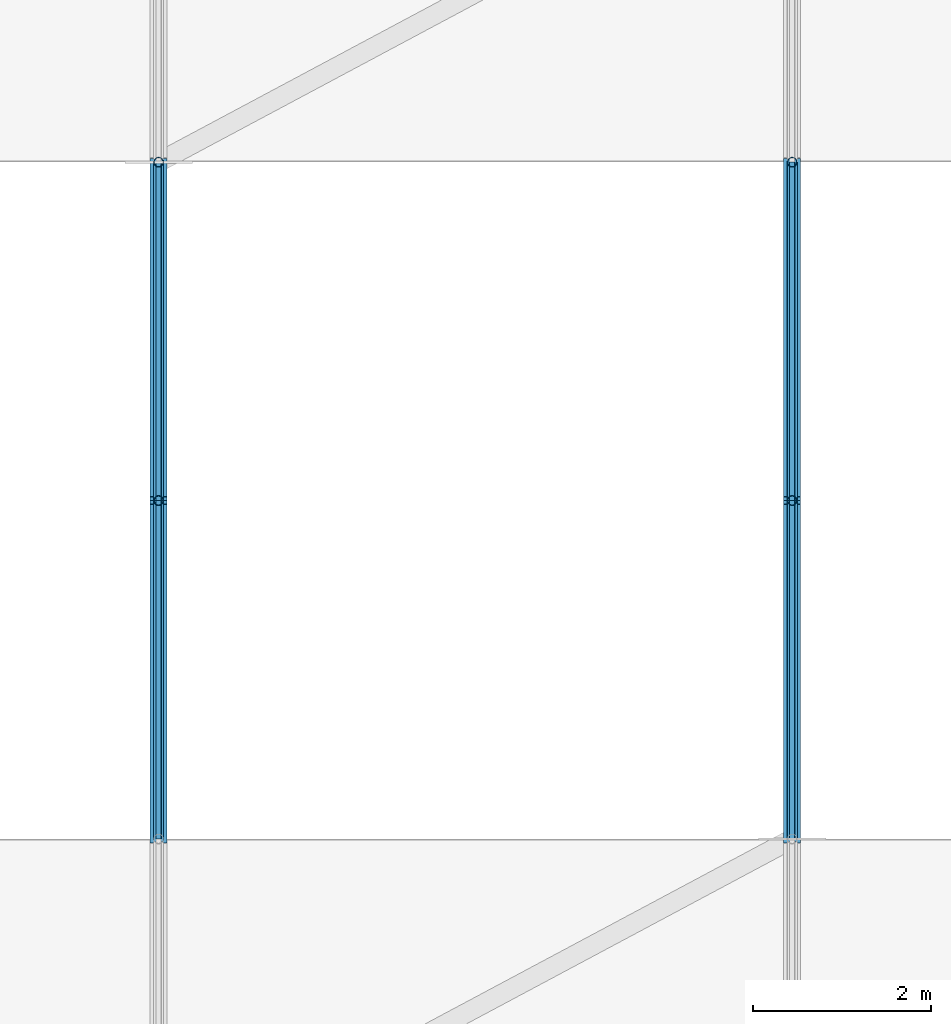
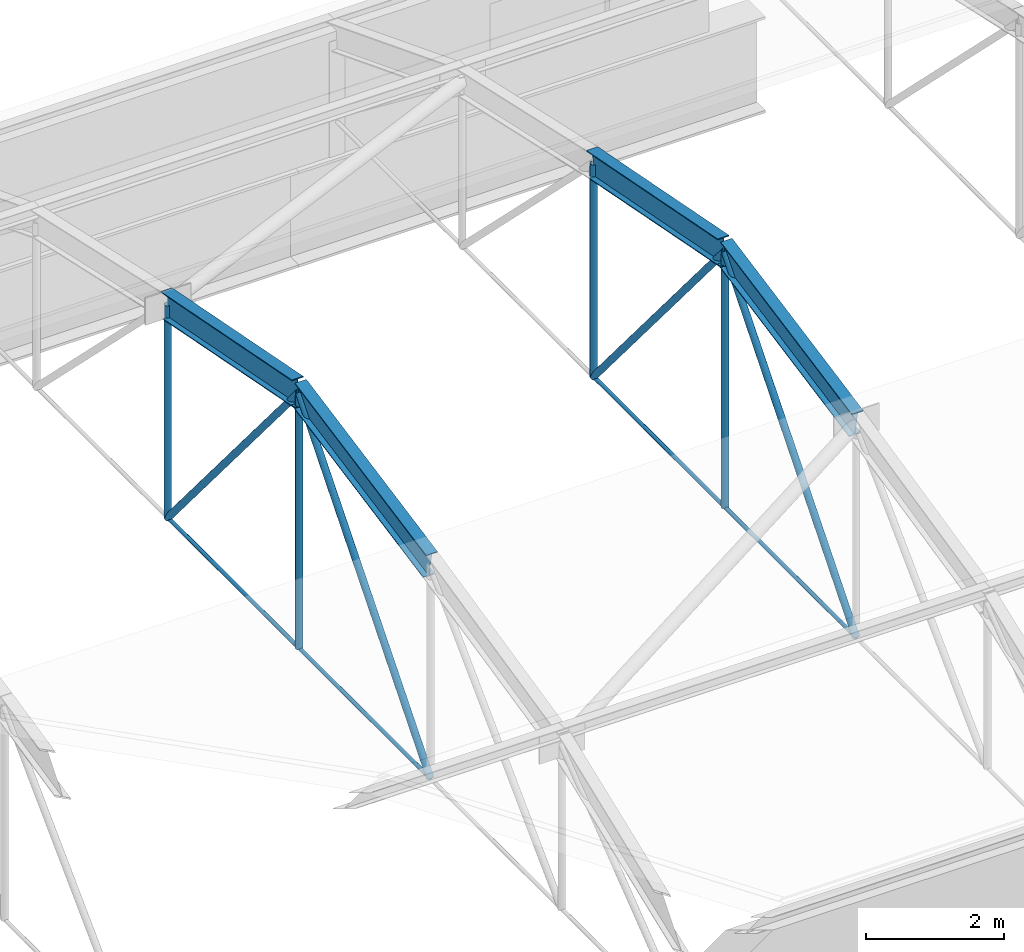
# One storey, part 16 of 53: 12 members, 4 beams.
"""IFC4 building model written with IfcOpenShell, lengths in metres."""

from ifc_helpers import new_model, si_unit, direction, frame, origin_with_axes, origin_2d_with_axis, place, context, subcontext, project, spatial, circle, hollow_circle, i_section, extrude, material, material_profile, profile_set, type_object, element, save


model = new_model("IFC4")

# Units and contexts
model_context = context("Model", 3, precision=1e-05, world=origin_with_axes(), true_north=direction((0.0, 1.0)))
body_context = subcontext(model_context, "Body", "Model", "MODEL_VIEW")
ifc_project = project(units=[si_unit("LENGTHUNIT", "METRE"), si_unit("AREAUNIT", "SQUARE_METRE"), si_unit("VOLUMEUNIT", "CUBIC_METRE"), si_unit("PLANEANGLEUNIT", "RADIAN"), si_unit("MASSUNIT", "GRAM", prefix="KILO"), si_unit("THERMODYNAMICTEMPERATUREUNIT", "KELVIN")], contexts=[model_context])

# Site, building, storey
site_placement = place(None, origin_with_axes())
site = spatial("IfcSite", under=ifc_project, at=site_placement, CompositionType="ELEMENT")
building_placement = place(site_placement, origin_with_axes())
building = spatial("IfcBuilding", under=site, at=building_placement, Name="Montbau Bow Law Courts", CompositionType="ELEMENT")
storey_placement = place(building_placement, frame((0.0, 0.0, 39.0), z_axis=(0.0, 0.0, 1.0), x_axis=(1.0, 0.0, 0.0)))
storey = spatial("IfcBuildingStorey", under=building, at=storey_placement, Name="L08", CompositionType="ELEMENT", Elevation=39.0)

# Beams
ifc_material = material(Name="Steel CSA G40.21 Grade 350WT (350 MPa)", Category="steel")
ifc_material_profile_1 = material_profile(ifc_material, i_section(OverallWidth=0.191, OverallDepth=0.46, WebThickness=0.0099, FlangeThickness=0.016, at=origin_2d_with_axis()), Name="W460X82", Category="Main", Priority=0)
ifc_profile_set_1 = profile_set([ifc_material_profile_1], Name="Steel CSA G40.21 Grade 350WT (350 MPa)")
beam_type = type_object("IfcBeamType", Name="B-ARC-02", PredefinedType="USERDEFINED", material=ifc_profile_set_1)
for number, where, z_axis, x_axis, name in (
    (1, (90.771, 46.6, 43.024), (0.0, 0.981513084, 0.191395051), (-1.0, 0.0, 0.0), "Barrel vault roof truss arch rib V3-129"),
    (2, (90.771, 50.4, 43.765), (0.0, 0.981513084, -0.191395051), (-1.0, 0.0, 0.0), "Barrel vault roof truss arch rib V3-130"),
    (3, (97.886, 46.6, 43.024), (0.0, 0.981513084, 0.191395051), (-1.0, 0.0, 0.0), "Barrel vault roof truss arch rib V3-135"),
    (4, (97.886, 50.4, 43.765), (0.0, 0.981513084, -0.191395051), (-1.0, 0.0, 0.0), "Barrel vault roof truss arch rib V3-136"),
):
    element("IfcBeam", number, at=place(None, frame(where, z_axis=z_axis, x_axis=x_axis)), inside=storey, type_object=beam_type, Name=name, ObjectType="ARCH_RIB", PredefinedType="USERDEFINED", context=body_context, shape_type="SweptSolid", body=[
        extrude(i_section(OverallWidth=0.191, OverallDepth=0.46, WebThickness=0.0099, FlangeThickness=0.016, at=origin_2d_with_axis()), origin_with_axes(), (0.0, 0.0, 1.0), 3.871573),
    ])

# Members
ifc_material_profile_2 = material_profile(ifc_material, hollow_circle(Radius=0.057, WallThickness=0.008, at=origin_2d_with_axis()), Name="HSS114X8.0", Category="Main", Priority=0)
ifc_profile_set_2 = profile_set([ifc_material_profile_2], Name="Steel CSA G40.21 Grade 350WT (350 MPa)")
member_type_1 = type_object("IfcMemberType", Name="M-STR-03", PredefinedType="STRUT", material=ifc_profile_set_2)
for number, where, z_axis, x_axis, name in (
    (5, (90.771, 46.6, 39.25), (0.0, 0.643926993, 0.765086941), (-1.0, 0.0, 0.0), "Barrel vault roof truss web diagonal V3-06-3"),
    (6, (90.771, 50.4, 43.765), (0.0, 0.643926993, -0.765086941), (-1.0, 0.0, 0.0), "Barrel vault roof truss web diagonal V3-06-4"),
):
    element("IfcMember", number, at=place(None, frame(where, z_axis=z_axis, x_axis=x_axis)), inside=storey, type_object=member_type_1, Name=name, PredefinedType="STRUT", context=body_context, shape_type="SweptSolid", body=[
        extrude(hollow_circle(Radius=0.057, WallThickness=0.008, at=origin_2d_with_axis()), origin_with_axes(), (0.0, 0.0, 1.0), 5.90129),
    ])
member_1_placement = place(None, frame((90.771, 50.4, 39.25), z_axis=(0.0, 0.0, 1.0), x_axis=(1.0, 0.0, 0.0)))
element("IfcMember", 7, at=member_1_placement, inside=storey, type_object=member_type_1, Name="Barrel vault roof truss web post V3-06-3", PredefinedType="STRUT", context=body_context, shape_type="SweptSolid", body=[
    extrude(hollow_circle(Radius=0.057, WallThickness=0.008, at=origin_2d_with_axis()), origin_with_axes(), (0.0, 0.0, 1.0), 4.515),
])
member_2_placement = place(None, frame((90.771, 54.2, 39.25), z_axis=(0.0, 0.0, 1.0), x_axis=(1.0, 0.0, 0.0)))
element("IfcMember", 8, at=member_2_placement, inside=storey, type_object=member_type_1, Name="Barrel vault roof truss web post V3-06-4", PredefinedType="STRUT", context=body_context, shape_type="SweptSolid", body=[
    extrude(hollow_circle(Radius=0.057, WallThickness=0.008, at=origin_2d_with_axis()), origin_with_axes(), (0.0, 0.0, 1.0), 3.774),
])
for number, where, z_axis, x_axis, name in (
    (9, (97.886, 46.6, 39.25), (0.0, 0.643926993, 0.765086941), (-1.0, 0.0, 0.0), "Barrel vault roof truss web diagonal V3-07-3"),
    (10, (97.886, 50.4, 43.765), (0.0, 0.643926993, -0.765086941), (-1.0, 0.0, 0.0), "Barrel vault roof truss web diagonal V3-07-4"),
):
    element("IfcMember", number, at=place(None, frame(where, z_axis=z_axis, x_axis=x_axis)), inside=storey, type_object=member_type_1, Name=name, PredefinedType="STRUT", context=body_context, shape_type="SweptSolid", body=[
        extrude(hollow_circle(Radius=0.057, WallThickness=0.008, at=origin_2d_with_axis()), origin_with_axes(), (0.0, 0.0, 1.0), 5.90129),
    ])
member_3_placement = place(None, frame((97.886, 50.4, 39.25), z_axis=(0.0, 0.0, 1.0), x_axis=(1.0, 0.0, 0.0)))
element("IfcMember", 11, at=member_3_placement, inside=storey, type_object=member_type_1, Name="Barrel vault roof truss web post V3-07-3", PredefinedType="STRUT", context=body_context, shape_type="SweptSolid", body=[
    extrude(hollow_circle(Radius=0.057, WallThickness=0.008, at=origin_2d_with_axis()), origin_with_axes(), (0.0, 0.0, 1.0), 4.515),
])
member_4_placement = place(None, frame((97.886, 54.2, 39.25), z_axis=(0.0, 0.0, 1.0), x_axis=(1.0, 0.0, 0.0)))
element("IfcMember", 12, at=member_4_placement, inside=storey, type_object=member_type_1, Name="Barrel vault roof truss web post V3-07-4", PredefinedType="STRUT", context=body_context, shape_type="SweptSolid", body=[
    extrude(hollow_circle(Radius=0.057, WallThickness=0.008, at=origin_2d_with_axis()), origin_with_axes(), (0.0, 0.0, 1.0), 3.774),
])
ifc_material_profile_3 = material_profile(ifc_material, circle(Radius=0.032, at=origin_2d_with_axis()), Name="ROD64", Category="Main", Priority=0)
ifc_profile_set_3 = profile_set([ifc_material_profile_3], Name="Steel CSA G40.21 Grade 350WT (350 MPa)")
member_type_2 = type_object("IfcMemberType", Name="M-TIE-02", PredefinedType="USERDEFINED", material=ifc_profile_set_3)
for number, where, z_axis, x_axis, name in (
    (13, (90.771, 46.6, 39.25), (0.0, 1.0, 0.0), (-1.0, 0.0, 0.0), "Barrel vault roof truss tie V3-129"),
    (14, (90.771, 50.4, 39.25), (0.0, 1.0, 0.0), (-1.0, 0.0, 0.0), "Barrel vault roof truss tie V3-130"),
    (15, (97.886, 46.6, 39.25), (0.0, 1.0, 0.0), (-1.0, 0.0, 0.0), "Barrel vault roof truss tie V3-135"),
    (16, (97.886, 50.4, 39.25), (0.0, 1.0, 0.0), (-1.0, 0.0, 0.0), "Barrel vault roof truss tie V3-136"),
):
    element("IfcMember", number, at=place(None, frame(where, z_axis=z_axis, x_axis=x_axis)), inside=storey, type_object=member_type_2, Name=name, ObjectType="TIEBAR", PredefinedType="USERDEFINED", context=body_context, shape_type="SweptSolid", body=[
        extrude(circle(Radius=0.032, at=origin_2d_with_axis()), origin_with_axes(), (0.0, 0.0, 1.0), 3.8),
    ])

save(model, "model.ifc")
